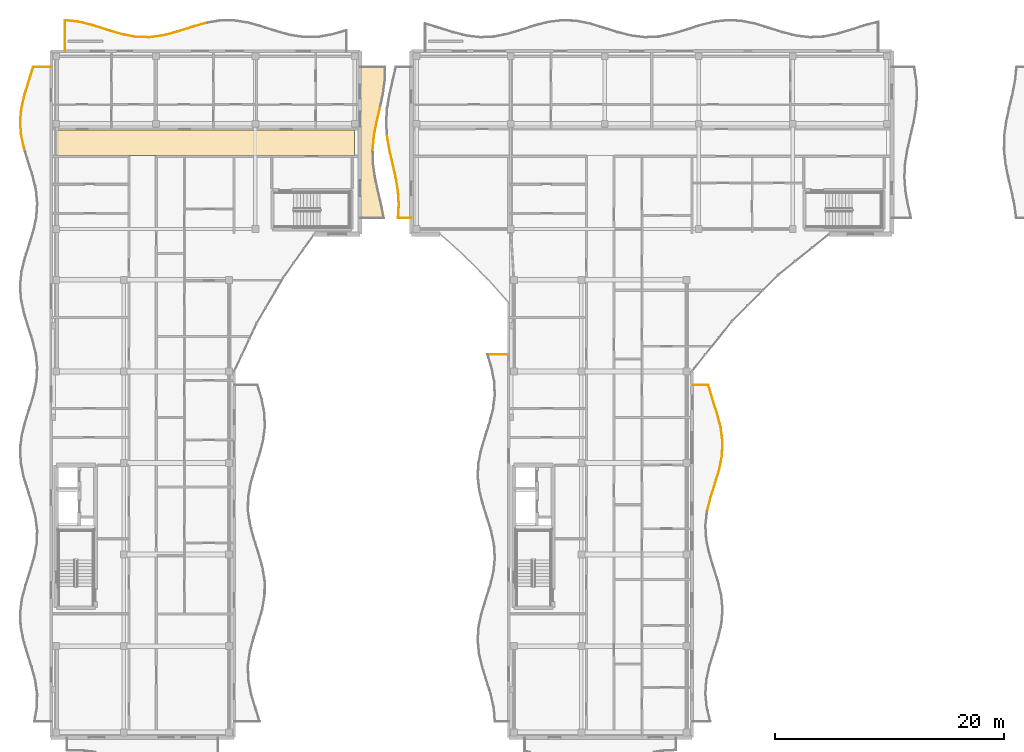
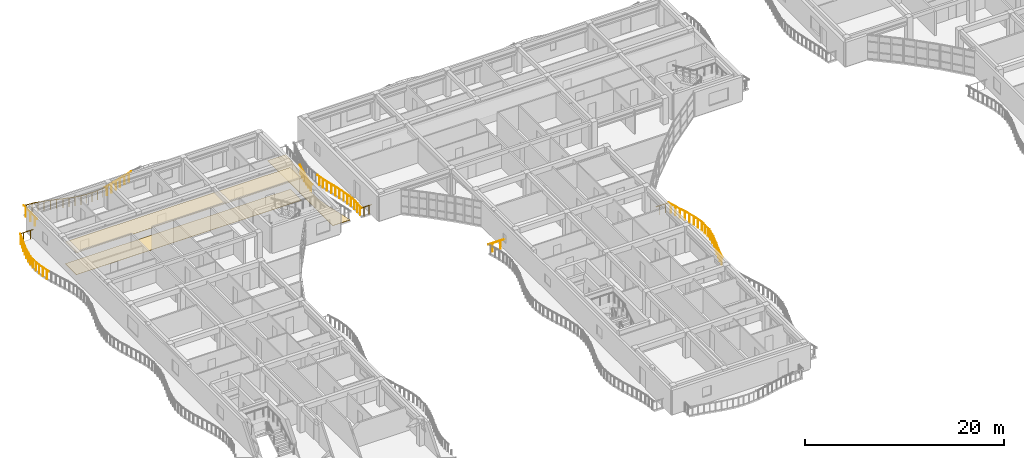
# One storey, part 65 of 79: 39 railings, 3 coverings.
"""IFC4 building model written with IfcOpenShell, lengths in metres."""

from ifc_helpers import new_model, si_unit, direction, frame, origin, origin_2d, place, context, subcontext, project, spatial, polyline, circle, outline, extrude, material, layer, layer_set, type_object, element, save


model = new_model("IFC4")

# Units and contexts
model_context = context("Model", 3, precision=1e-05, world=origin(), true_north=direction((0.0, 1.0)))
body_context = subcontext(model_context, "Body", "Model", "MODEL_VIEW")
ifc_project = project(units=[si_unit("LENGTHUNIT", "METRE"), si_unit("AREAUNIT", "SQUARE_METRE"), si_unit("VOLUMEUNIT", "CUBIC_METRE"), si_unit("PLANEANGLEUNIT", "RADIAN"), si_unit("MASSUNIT", "GRAM", prefix="KILO")], contexts=[model_context])

# Site, building, storey
site_placement = place(None, origin())
site = spatial("IfcSite", under=ifc_project, at=site_placement, CompositionType="ELEMENT")
building_placement = place(site_placement, origin())
building = spatial("IfcBuilding", under=site, at=building_placement, Name="Keldmere Railside Commons", CompositionType="ELEMENT")
storey_placement = place(building_placement, frame((0.0, 0.0, 10.56005859375)))
storey = spatial("IfcBuildingStorey", under=building, at=storey_placement, Name="L03", CompositionType="ELEMENT", Elevation=10.56005859375)

# Railings
ifc_material_1 = material(Name="Steel F-24 (S235)", Category="steel")
railing_type = type_object("IfcRailingType", Name="Balcony & Terrace Steel Balustrade 1100", PredefinedType="BALUSTRADE", material=ifc_material_1)
railing_1_placement = place(storey_placement, frame((9.199951171875, 116.0, 0.0)))
element("IfcRailing", 1, at=railing_1_placement, inside=storey, type_object=railing_type, Name="GR-1 GRD-L03-0255", PredefinedType="BALUSTRADE", context=body_context, shape_type="SweptSolid", body=[
    extrude(circle(Radius=0.02392578125, at=origin_2d()), frame((0.0, 0.0, 1.076171875), z_axis=(0.0, 1.0, 0.0), x_axis=(-1.0, 0.0, 0.0)), (0.0, 0.0, 1.0), 2.697509765625),
    extrude(circle(Radius=0.02099609375, at=origin_2d()), frame((0.0, 0.44970703125, 0.0)), (0.0, 0.0, 1.0), 1.048095703125),
    extrude(circle(Radius=0.02099609375, at=origin_2d()), frame((0.0, 1.3486328125, 0.0)), (0.0, 0.0, 1.0), 1.048095703125),
    extrude(circle(Radius=0.02099609375, at=origin_2d()), frame((0.0, 2.248046875, 0.0)), (0.0, 0.0, 1.0), 1.048095703125),
])
railing_2_placement = place(storey_placement, frame((9.199951171875, 118.697509765625, 0.0)))
element("IfcRailing", 2, at=railing_2_placement, inside=storey, type_object=railing_type, Name="GR-1 GRD-L03-0256", PredefinedType="BALUSTRADE", context=body_context, shape_type="SweptSolid", body=[
    extrude(circle(Radius=0.02392578125, at=origin_2d()), frame((0.0, 0.0, 1.076171875), z_axis=(0.994008215194, -0.109305389285, 0.0), x_axis=(0.109305389285, 0.994008215194, 0.0)), (0.0, 0.0, 1.0), 1.2373046875),
    extrude(circle(Radius=0.02099609375, at=origin_2d()), frame((0.3076171875, -0.03369140625, 0.0)), (0.0, 0.0, 1.0), 1.048095703125),
    extrude(circle(Radius=0.02099609375, at=origin_2d()), frame((0.92236328125, -0.1015625, 0.0)), (0.0, 0.0, 1.0), 1.048095703125),
])
railing_3_placement = place(storey_placement, frame((10.429931640625, 118.562255859375, 0.0)))
element("IfcRailing", 3, at=railing_3_placement, inside=storey, type_object=railing_type, Name="GR-1 GRD-L03-0257", PredefinedType="BALUSTRADE", context=body_context, shape_type="SweptSolid", body=[
    extrude(circle(Radius=0.02392578125, at=origin_2d()), frame((0.0, 0.0, 1.076171875), z_axis=(0.970119841736, -0.242626240688, 0.0), x_axis=(0.242626240688, 0.970119841736, 0.0)), (0.0, 0.0, 1.0), 1.267822265625),
    extrude(circle(Radius=0.02099609375, at=origin_2d()), frame((0.3076171875, -0.076904296875, 0.0)), (0.0, 0.0, 1.0), 1.048095703125),
    extrude(circle(Radius=0.02099609375, at=origin_2d()), frame((0.92236328125, -0.230712890625, 0.0)), (0.0, 0.0, 1.0), 1.048095703125),
])
railing_4_placement = place(storey_placement, frame((11.659912109375, 118.254638671875, 0.0)))
element("IfcRailing", 4, at=railing_4_placement, inside=storey, type_object=railing_type, Name="GR-1 GRD-L03-0258", PredefinedType="BALUSTRADE", context=body_context, shape_type="SweptSolid", body=[
    extrude(circle(Radius=0.02392578125, at=origin_2d()), frame((0.0, 0.0, 1.076171875), z_axis=(0.952487786918, -0.304576781406, 0.0), x_axis=(0.304576781406, 0.952487786918, 0.0)), (0.0, 0.0, 1.0), 1.291259765625),
    extrude(circle(Radius=0.02099609375, at=origin_2d()), frame((0.3076171875, -0.098388671875, 0.0)), (0.0, 0.0, 1.0), 1.048095703125),
    extrude(circle(Radius=0.02099609375, at=origin_2d()), frame((0.92236328125, -0.294921875, 0.0)), (0.0, 0.0, 1.0), 1.048095703125),
])
railing_5_placement = place(storey_placement, frame((12.889892578125, 117.861328125, 0.0)))
element("IfcRailing", 5, at=railing_5_placement, inside=storey, type_object=railing_type, Name="GR-1 GRD-L03-0259", PredefinedType="BALUSTRADE", context=body_context, shape_type="SweptSolid", body=[
    extrude(circle(Radius=0.02392578125, at=origin_2d()), frame((0.0, 0.0, 1.076171875), z_axis=(0.957967444327, -0.286876934608, 0.0), x_axis=(0.286876934608, 0.957967444327, 0.0)), (0.0, 0.0, 1.0), 1.2841796875),
    extrude(circle(Radius=0.02099609375, at=origin_2d()), frame((0.3076171875, -0.092041015625, 0.0)), (0.0, 0.0, 1.0), 1.048095703125),
    extrude(circle(Radius=0.02099609375, at=origin_2d()), frame((0.922607421875, -0.2763671875, 0.0)), (0.0, 0.0, 1.0), 1.048095703125),
])
railing_6_placement = place(storey_placement, frame((14.1201171875, 117.492919921875, 0.0)))
element("IfcRailing", 6, at=railing_6_placement, inside=storey, type_object=railing_type, Name="GR-1 GRD-L03-0260", PredefinedType="BALUSTRADE", context=body_context, shape_type="SweptSolid", body=[
    extrude(circle(Radius=0.02392578125, at=origin_2d()), frame((0.0, 0.0, 1.076171875), z_axis=(0.981528086767, -0.191318098691, 0.0), x_axis=(0.191318098691, 0.981528086767, 0.0)), (0.0, 0.0, 1.0), 1.253173828125),
    extrude(circle(Radius=0.02099609375, at=origin_2d()), frame((0.3076171875, -0.06005859375, 0.0)), (0.0, 0.0, 1.0), 1.048095703125),
    extrude(circle(Radius=0.02099609375, at=origin_2d()), frame((0.92236328125, -0.1796875, 0.0)), (0.0, 0.0, 1.0), 1.048095703125),
])
railing_7_placement = place(storey_placement, frame((15.35009765625, 117.253173828125, 0.0)))
element("IfcRailing", 7, at=railing_7_placement, inside=storey, type_object=railing_type, Name="GR-1 GRD-L03-0261", PredefinedType="BALUSTRADE", context=body_context, shape_type="SweptSolid", body=[
    extrude(circle(Radius=0.02392578125, at=origin_2d()), frame((0.0, 0.0, 1.076171875), z_axis=(0.999362348859, -0.03570568138, 0.0), x_axis=(0.03570568138, 0.999362348859, 0.0)), (0.0, 0.0, 1.0), 1.230712890625),
    extrude(circle(Radius=0.02099609375, at=origin_2d()), frame((0.3076171875, -0.010986328125, 0.0)), (0.0, 0.0, 1.0), 1.048095703125),
    extrude(circle(Radius=0.02099609375, at=origin_2d()), frame((0.92236328125, -0.032958984375, 0.0)), (0.0, 0.0, 1.0), 1.048095703125),
])
railing_8_placement = place(storey_placement, frame((16.580078125, 117.209228515625, 0.0)))
element("IfcRailing", 8, at=railing_8_placement, inside=storey, type_object=railing_type, Name="GR-1 GRD-L03-0262", PredefinedType="BALUSTRADE", context=body_context, shape_type="SweptSolid", body=[
    extrude(circle(Radius=0.02392578125, at=origin_2d()), frame((0.0, 0.0, 1.076171875), z_axis=(0.99116938363, 0.132601858787, 0.0), x_axis=(-0.132601858787, 0.99116938363, 0.0)), (0.0, 0.0, 1.0), 1.240966796875),
    extrude(circle(Radius=0.02099609375, at=origin_2d()), frame((0.3076171875, 0.041015625, 0.0)), (0.0, 0.0, 1.0), 1.048095703125),
    extrude(circle(Radius=0.02099609375, at=origin_2d()), frame((0.92236328125, 0.12353515625, 0.0)), (0.0, 0.0, 1.0), 1.048095703125),
])
railing_9_placement = place(storey_placement, frame((17.81005859375, 117.373779296875, 0.0)))
element("IfcRailing", 9, at=railing_9_placement, inside=storey, type_object=railing_type, Name="GR-1 GRD-L03-0263", PredefinedType="BALUSTRADE", context=body_context, shape_type="SweptSolid", body=[
    extrude(circle(Radius=0.02392578125, at=origin_2d()), frame((0.0, 0.0, 1.076171875), z_axis=(0.966543116807, 0.256504197533, 0.0), x_axis=(-0.256504197533, 0.966543116807, 0.0)), (0.0, 0.0, 1.0), 1.2724609375),
    extrude(circle(Radius=0.02099609375, at=origin_2d()), frame((0.3076171875, 0.08154296875, 0.0)), (0.0, 0.0, 1.0), 1.048095703125),
    extrude(circle(Radius=0.02099609375, at=origin_2d()), frame((0.92236328125, 0.244873046875, 0.0)), (0.0, 0.0, 1.0), 1.048095703125),
])
railing_10_placement = place(storey_placement, frame((19.0400390625, 117.7001953125, 0.0)))
element("IfcRailing", 10, at=railing_10_placement, inside=storey, type_object=railing_type, Name="GR-1 GRD-L03-0264", PredefinedType="BALUSTRADE", context=body_context, shape_type="SweptSolid", body=[
    extrude(circle(Radius=0.02392578125, at=origin_2d()), frame((0.0, 0.0, 1.076171875), z_axis=(0.951772697631, 0.306804061324, 0.0), x_axis=(-0.306804061324, 0.951772697631, 0.0)), (0.0, 0.0, 1.0), 1.292236328125),
    extrude(circle(Radius=0.02099609375, at=origin_2d()), frame((0.3076171875, 0.09912109375, 0.0)), (0.0, 0.0, 1.0), 1.048095703125),
    extrude(circle(Radius=0.02099609375, at=origin_2d()), frame((0.92236328125, 0.29736328125, 0.0)), (0.0, 0.0, 1.0), 1.048095703125),
])
railing_11_placement = place(storey_placement, frame((20.27001953125, 118.0966796875, 0.0)))
element("IfcRailing", 11, at=railing_11_placement, inside=storey, type_object=railing_type, Name="GR-1 GRD-L03-0265", PredefinedType="BALUSTRADE", context=body_context, shape_type="SweptSolid", body=[
    extrude(circle(Radius=0.02392578125, at=origin_2d()), frame((0.0, 0.0, 1.076171875), z_axis=(0.960684800771, 0.277641339802, 0.0), x_axis=(-0.277641339802, 0.960684800771, 0.0)), (0.0, 0.0, 1.0), 1.2802734375),
    extrude(circle(Radius=0.02099609375, at=origin_2d()), frame((0.3076171875, 0.0888671875, 0.0)), (0.0, 0.0, 1.0), 1.048095703125),
    extrude(circle(Radius=0.02099609375, at=origin_2d()), frame((0.92236328125, 0.2666015625, 0.0)), (0.0, 0.0, 1.0), 1.048095703125),
])
railing_12_placement = place(storey_placement, frame((5.654296875, 107.449951171875, 0.0)))
element("IfcRailing", 12, at=railing_12_placement, inside=storey, type_object=railing_type, Name="GR-1 GRD-L03-0346", PredefinedType="BALUSTRADE", context=body_context, shape_type="SweptSolid", body=[
    extrude(circle(Radius=0.02392578125, at=origin_2d()), frame((0.0, 0.0, 1.076171875), z_axis=(-0.216422141118, 0.976299880587, 0.0), x_axis=(-0.976299880587, -0.216422141118, 0.0)), (0.0, 0.0, 1.0), 1.220458984375),
    extrude(circle(Radius=0.02099609375, at=origin_2d()), frame((-0.06591796875, 0.2978515625, 0.0)), (0.0, 0.0, 1.0), 1.048095703125),
    extrude(circle(Radius=0.02099609375, at=origin_2d()), frame((-0.1982421875, 0.893798828125, 0.0)), (0.0, 0.0, 1.0), 1.048095703125),
])
railing_13_placement = place(storey_placement, frame((5.39013671875, 108.6416015625, 0.0)))
element("IfcRailing", 13, at=railing_13_placement, inside=storey, type_object=railing_type, Name="GR-1 GRD-L03-0347", PredefinedType="BALUSTRADE", context=body_context, shape_type="SweptSolid", body=[
    extrude(circle(Radius=0.02392578125, at=origin_2d()), frame((0.0, 0.0, 1.076171875), z_axis=(-0.075181012963, 0.99716990292, 0.0), x_axis=(-0.99716990292, -0.075181012963, 0.0)), (0.0, 0.0, 1.0), 1.195068359375),
    extrude(circle(Radius=0.02099609375, at=origin_2d()), frame((-0.0224609375, 0.2978515625, 0.0)), (0.0, 0.0, 1.0), 1.048095703125),
    extrude(circle(Radius=0.02099609375, at=origin_2d()), frame((-0.0673828125, 0.893798828125, 0.0)), (0.0, 0.0, 1.0), 1.048095703125),
])
railing_14_placement = place(storey_placement, frame((5.30029296875, 109.833251953125, 0.0)))
element("IfcRailing", 14, at=railing_14_placement, inside=storey, type_object=railing_type, Name="GR-1 GRD-L03-0348", PredefinedType="BALUSTRADE", context=body_context, shape_type="SweptSolid", body=[
    extrude(circle(Radius=0.02392578125, at=origin_2d()), frame((0.0, 0.0, 1.076171875), z_axis=(0.09059093533, 0.995888187718, 0.0), x_axis=(-0.995888187718, 0.09059093533, 0.0)), (0.0, 0.0, 1.0), 1.196533203125),
    extrude(circle(Radius=0.02099609375, at=origin_2d()), frame((0.027099609375, 0.2978515625, 0.0)), (0.0, 0.0, 1.0), 1.048095703125),
    extrude(circle(Radius=0.02099609375, at=origin_2d()), frame((0.081298828125, 0.893798828125, 0.0)), (0.0, 0.0, 1.0), 1.048095703125),
])
railing_15_placement = place(storey_placement, frame((5.40869140625, 111.02490234375, 0.0)))
element("IfcRailing", 15, at=railing_15_placement, inside=storey, type_object=railing_type, Name="GR-1 GRD-L03-0349", PredefinedType="BALUSTRADE", context=body_context, shape_type="SweptSolid", body=[
    extrude(circle(Radius=0.02392578125, at=origin_2d()), frame((0.0, 0.0, 1.076171875), z_axis=(0.227015199311, 0.973891215322, 0.0), x_axis=(-0.973891215322, 0.227015199311, 0.0)), (0.0, 0.0, 1.0), 1.223876953125),
    extrude(circle(Radius=0.02099609375, at=origin_2d()), frame((0.0693359375, 0.2978515625, 0.0)), (0.0, 0.0, 1.0), 1.048095703125),
    extrude(circle(Radius=0.02099609375, at=origin_2d()), frame((0.20849609375, 0.89404296875, 0.0)), (0.0, 0.0, 1.0), 1.048095703125),
])
railing_16_placement = place(storey_placement, frame((5.6865234375, 112.216796875, 0.0)))
element("IfcRailing", 16, at=railing_16_placement, inside=storey, type_object=railing_type, Name="GR-1 GRD-L03-0350", PredefinedType="BALUSTRADE", context=body_context, shape_type="SweptSolid", body=[
    extrude(circle(Radius=0.02392578125, at=origin_2d()), frame((0.0, 0.0, 1.076171875), z_axis=(0.29934356477, 0.954145392606, 0.0), x_axis=(-0.954145392606, 0.29934356477, 0.0)), (0.0, 0.0, 1.0), 1.248779296875),
    extrude(circle(Radius=0.02099609375, at=origin_2d()), frame((0.093505859375, 0.2978515625, 0.0)), (0.0, 0.0, 1.0), 1.048095703125),
    extrude(circle(Radius=0.02099609375, at=origin_2d()), frame((0.2802734375, 0.8935546875, 0.0)), (0.0, 0.0, 1.0), 1.048095703125),
])
railing_17_placement = place(storey_placement, frame((6.060302734375, 113.408203125, 0.0)))
element("IfcRailing", 17, at=railing_17_placement, inside=storey, type_object=railing_type, Name="GR-1 GRD-L03-0351", PredefinedType="BALUSTRADE", context=body_context, shape_type="SweptSolid", body=[
    extrude(circle(Radius=0.02392578125, at=origin_2d()), frame((0.0, 0.0, 1.076171875), z_axis=(0.297450874004, 0.954737124843, 0.0), x_axis=(-0.954737124843, 0.297450874004, 0.0)), (0.0, 0.0, 1.0), 1.248291015625),
    extrude(circle(Radius=0.02099609375, at=origin_2d()), frame((0.0927734375, 0.2978515625, 0.0)), (0.0, 0.0, 1.0), 1.048095703125),
    extrude(circle(Radius=0.02099609375, at=origin_2d()), frame((0.278564453125, 0.89404296875, 0.0)), (0.0, 0.0, 1.0), 1.048095703125),
])
railing_18_placement = place(storey_placement, frame((6.431640625, 114.60009765625, 0.0)))
element("IfcRailing", 18, at=railing_18_placement, inside=storey, type_object=railing_type, Name="GR-1 GRD-L03-0352", PredefinedType="BALUSTRADE", context=body_context, shape_type="SweptSolid", body=[
    extrude(circle(Radius=0.02392578125, at=origin_2d()), frame((0.0, 0.0, 1.076171875), z_axis=(1.0, 0.0, 0.0), x_axis=(0.0, 1.0, 0.0)), (0.0, 0.0, 1.0), 1.568359375),
    extrude(circle(Radius=0.02099609375, at=origin_2d()), frame((0.39208984375, 0.0, 0.0)), (0.0, 0.0, 1.0), 1.048095703125),
    extrude(circle(Radius=0.02099609375, at=origin_2d()), frame((1.17626953125, 0.0, 0.0)), (0.0, 0.0, 1.0), 1.048095703125),
])
railing_19_placement = place(storey_placement, frame((36.106689453125, 107.39990234375, 0.0)))
element("IfcRailing", 19, at=railing_19_placement, inside=storey, type_object=railing_type, Name="GR-1 GRD-L03-0359", PredefinedType="BALUSTRADE", context=body_context, shape_type="SweptSolid", body=[
    extrude(circle(Radius=0.02392578125, at=origin_2d()), frame((0.0, 0.0, 1.076171875), z_axis=(0.09577413797, 0.995403091464, 0.0), x_axis=(-0.995403091464, 0.09577413797, 0.0)), (0.0, 0.0, 1.0), 1.205810546875),
    extrude(circle(Radius=0.02099609375, at=origin_2d()), frame((0.02880859375, 0.300048828125, 0.0)), (0.0, 0.0, 1.0), 1.048095703125),
    extrude(circle(Radius=0.02099609375, at=origin_2d()), frame((0.086669921875, 0.900146484375, 0.0)), (0.0, 0.0, 1.0), 1.048095703125),
])
railing_20_placement = place(storey_placement, frame((36.22216796875, 108.60009765625, 0.0)))
element("IfcRailing", 20, at=railing_20_placement, inside=storey, type_object=railing_type, Name="GR-1 GRD-L03-0360", PredefinedType="BALUSTRADE", context=body_context, shape_type="SweptSolid", body=[
    extrude(circle(Radius=0.02392578125, at=origin_2d()), frame((0.0, 0.0, 1.076171875), z_axis=(0.188232213058, 0.982124551148, 0.0), x_axis=(-0.982124551148, 0.188232213058, 0.0)), (0.0, 0.0, 1.0), 1.2216796875),
    extrude(circle(Radius=0.02099609375, at=origin_2d()), frame((0.0576171875, 0.300048828125, 0.0)), (0.0, 0.0, 1.0), 1.048095703125),
    extrude(circle(Radius=0.02099609375, at=origin_2d()), frame((0.17236328125, 0.89990234375, 0.0)), (0.0, 0.0, 1.0), 1.048095703125),
])
railing_21_placement = place(storey_placement, frame((36.4521484375, 109.800048828125, 0.0)))
element("IfcRailing", 21, at=railing_21_placement, inside=storey, type_object=railing_type, Name="GR-1 GRD-L03-0361", PredefinedType="BALUSTRADE", context=body_context, shape_type="SweptSolid", body=[
    extrude(circle(Radius=0.02392578125, at=origin_2d()), frame((0.0, 0.0, 1.076171875), z_axis=(0.229513923335, 0.973305378078, 0.0), x_axis=(-0.973305378078, 0.229513923335, 0.0)), (0.0, 0.0, 1.0), 1.23291015625),
    extrude(circle(Radius=0.02099609375, at=origin_2d()), frame((0.07080078125, 0.300048828125, 0.0)), (0.0, 0.0, 1.0), 1.048095703125),
    extrude(circle(Radius=0.02099609375, at=origin_2d()), frame((0.212158203125, 0.89990234375, 0.0)), (0.0, 0.0, 1.0), 1.048095703125),
])
railing_22_placement = place(storey_placement, frame((65.340576171875, 75.77490234375, 0.0)))
element("IfcRailing", 22, at=railing_22_placement, inside=storey, type_object=railing_type, Name="GR-1 GRD-L03-1099", PredefinedType="BALUSTRADE", context=body_context, shape_type="SweptSolid", body=[
    extrude(circle(Radius=0.02392578125, at=origin_2d()), frame((0.0, 0.0, 1.076171875), z_axis=(0.243536017509, 0.969891853856, 0.0), x_axis=(-0.969891853856, 0.243536017509, 0.0)), (0.0, 0.0, 1.0), 1.26318359375),
    extrude(circle(Radius=0.02099609375, at=origin_2d()), frame((0.076904296875, 0.30615234375, 0.0)), (0.0, 0.0, 1.0), 1.048095703125),
    extrude(circle(Radius=0.02099609375, at=origin_2d()), frame((0.230712890625, 0.9189453125, 0.0)), (0.0, 0.0, 1.0), 1.048095703125),
])
railing_23_placement = place(storey_placement, frame((65.648193359375, 77.0, 0.0)))
element("IfcRailing", 23, at=railing_23_placement, inside=storey, type_object=railing_type, Name="GR-1 GRD-L03-1100", PredefinedType="BALUSTRADE", context=body_context, shape_type="SweptSolid", body=[
    extrude(circle(Radius=0.02392578125, at=origin_2d()), frame((0.0, 0.0, 1.076171875), z_axis=(0.304644868355, 0.952466012089, 0.0), x_axis=(-0.952466012089, 0.304644868355, 0.0)), (0.0, 0.0, 1.0), 1.2861328125),
    extrude(circle(Radius=0.02099609375, at=origin_2d()), frame((0.097900390625, 0.30615234375, 0.0)), (0.0, 0.0, 1.0), 1.048095703125),
    extrude(circle(Radius=0.02099609375, at=origin_2d()), frame((0.2939453125, 0.9189453125, 0.0)), (0.0, 0.0, 1.0), 1.048095703125),
])
railing_24_placement = place(storey_placement, frame((66.0400390625, 78.22509765625, 0.0)))
element("IfcRailing", 24, at=railing_24_placement, inside=storey, type_object=railing_type, Name="GR-1 GRD-L03-1101", PredefinedType="BALUSTRADE", context=body_context, shape_type="SweptSolid", body=[
    extrude(circle(Radius=0.02392578125, at=origin_2d()), frame((0.0, 0.0, 1.076171875), z_axis=(0.286804774598, 0.957989050704, 0.0), x_axis=(-0.957989050704, 0.286804774598, 0.0)), (0.0, 0.0, 1.0), 1.278564453125),
    extrude(circle(Radius=0.02099609375, at=origin_2d()), frame((0.091796875, 0.30615234375, 0.0)), (0.0, 0.0, 1.0), 1.048095703125),
    extrude(circle(Radius=0.02099609375, at=origin_2d()), frame((0.27490234375, 0.918701171875, 0.0)), (0.0, 0.0, 1.0), 1.048095703125),
])
railing_25_placement = place(storey_placement, frame((66.40673828125, 79.449951171875, 0.0)))
element("IfcRailing", 25, at=railing_25_placement, inside=storey, type_object=railing_type, Name="GR-1 GRD-L03-1102", PredefinedType="BALUSTRADE", context=body_context, shape_type="SweptSolid", body=[
    extrude(circle(Radius=0.02392578125, at=origin_2d()), frame((0.0, 0.0, 1.076171875), z_axis=(0.191675793499, 0.981458297732, 0.0), x_axis=(-0.981458297732, 0.191675793499, 0.0)), (0.0, 0.0, 1.0), 1.248291015625),
    extrude(circle(Radius=0.02099609375, at=origin_2d()), frame((0.059814453125, 0.30615234375, 0.0)), (0.0, 0.0, 1.0), 1.048095703125),
    extrude(circle(Radius=0.02099609375, at=origin_2d()), frame((0.179443359375, 0.9189453125, 0.0)), (0.0, 0.0, 1.0), 1.048095703125),
])
railing_26_placement = place(storey_placement, frame((66.64599609375, 80.675048828125, 0.0)))
element("IfcRailing", 26, at=railing_26_placement, inside=storey, type_object=railing_type, Name="GR-1 GRD-L03-1103", PredefinedType="BALUSTRADE", context=body_context, shape_type="SweptSolid", body=[
    extrude(circle(Radius=0.02392578125, at=origin_2d()), frame((0.0, 0.0, 1.076171875), z_axis=(0.036849581892, 0.999320823517, 0.0), x_axis=(-0.999320823517, 0.036849581892, 0.0)), (0.0, 0.0, 1.0), 1.2255859375),
    extrude(circle(Radius=0.02099609375, at=origin_2d()), frame((0.01123046875, 0.30615234375, 0.0)), (0.0, 0.0, 1.0), 1.048095703125),
    extrude(circle(Radius=0.02099609375, at=origin_2d()), frame((0.033935546875, 0.918701171875, 0.0)), (0.0, 0.0, 1.0), 1.048095703125),
])
railing_27_placement = place(storey_placement, frame((66.691162109375, 81.89990234375, 0.0)))
element("IfcRailing", 27, at=railing_27_placement, inside=storey, type_object=railing_type, Name="GR-1 GRD-L03-1104", PredefinedType="BALUSTRADE", context=body_context, shape_type="SweptSolid", body=[
    extrude(circle(Radius=0.02392578125, at=origin_2d()), frame((0.0, 0.0, 1.076171875), z_axis=(-0.130791814318, 0.991409855361, 0.0), x_axis=(-0.991409855361, -0.130791814318, 0.0)), (0.0, 0.0, 1.0), 1.235595703125),
    extrude(circle(Radius=0.02099609375, at=origin_2d()), frame((-0.04052734375, 0.30615234375, 0.0)), (0.0, 0.0, 1.0), 1.048095703125),
    extrude(circle(Radius=0.02099609375, at=origin_2d()), frame((-0.12109375, 0.9189453125, 0.0)), (0.0, 0.0, 1.0), 1.048095703125),
])
railing_28_placement = place(storey_placement, frame((66.529541015625, 83.125, 0.0)))
element("IfcRailing", 28, at=railing_28_placement, inside=storey, type_object=railing_type, Name="GR-1 GRD-L03-1105", PredefinedType="BALUSTRADE", context=body_context, shape_type="SweptSolid", body=[
    extrude(circle(Radius=0.02392578125, at=origin_2d()), frame((0.0, 0.0, 1.076171875), z_axis=(-0.255119233156, 0.96690960119, 0.0), x_axis=(-0.96690960119, -0.255119233156, 0.0)), (0.0, 0.0, 1.0), 1.26708984375),
    extrude(circle(Radius=0.02099609375, at=origin_2d()), frame((-0.080810546875, 0.30615234375, 0.0)), (0.0, 0.0, 1.0), 1.048095703125),
    extrude(circle(Radius=0.02099609375, at=origin_2d()), frame((-0.242431640625, 0.9189453125, 0.0)), (0.0, 0.0, 1.0), 1.048095703125),
])
railing_29_placement = place(storey_placement, frame((66.206298828125, 84.35009765625, 0.0)))
element("IfcRailing", 29, at=railing_29_placement, inside=storey, type_object=railing_type, Name="GR-1 GRD-L03-1106", PredefinedType="BALUSTRADE", context=body_context, shape_type="SweptSolid", body=[
    extrude(circle(Radius=0.02392578125, at=origin_2d()), frame((0.0, 0.0, 1.076171875), z_axis=(-0.306764423269, 0.951785474052, 0.0), x_axis=(-0.951785474052, -0.306764423269, 0.0)), (0.0, 0.0, 1.0), 1.286865234375),
    extrude(circle(Radius=0.02099609375, at=origin_2d()), frame((-0.0986328125, 0.30615234375, 0.0)), (0.0, 0.0, 1.0), 1.048095703125),
    extrude(circle(Radius=0.02099609375, at=origin_2d()), frame((-0.296142578125, 0.918701171875, 0.0)), (0.0, 0.0, 1.0), 1.048095703125),
])
railing_30_placement = place(storey_placement, frame((65.8115234375, 85.574951171875, 0.0)))
element("IfcRailing", 30, at=railing_30_placement, inside=storey, type_object=railing_type, Name="GR-1 GRD-L03-1107", PredefinedType="BALUSTRADE", context=body_context, shape_type="SweptSolid", body=[
    extrude(circle(Radius=0.02392578125, at=origin_2d()), frame((0.0, 0.0, 1.076171875), z_axis=(-0.279191603743, 0.96023541301, 0.0), x_axis=(-0.96023541301, -0.279191603743, 0.0)), (0.0, 0.0, 1.0), 1.27587890625),
    extrude(circle(Radius=0.02099609375, at=origin_2d()), frame((-0.089111328125, 0.30615234375, 0.0)), (0.0, 0.0, 1.0), 1.048095703125),
    extrude(circle(Radius=0.02099609375, at=origin_2d()), frame((-0.26708984375, 0.9189453125, 0.0)), (0.0, 0.0, 1.0), 1.048095703125),
])
railing_31_placement = place(storey_placement, frame((65.455322265625, 86.800048828125, 0.0)))
element("IfcRailing", 31, at=railing_31_placement, inside=storey, type_object=railing_type, Name="GR-1 GRD-L03-1108", PredefinedType="BALUSTRADE", context=body_context, shape_type="SweptSolid", body=[
    extrude(circle(Radius=0.02392578125, at=origin_2d()), frame((0.0, 0.0, 1.076171875), z_axis=(-1.0, 0.0, 0.0), x_axis=(0.0, -1.0, 0.0)), (0.0, 0.0, 1.0), 1.455322265625),
    extrude(circle(Radius=0.02099609375, at=origin_2d()), frame((-0.36376953125, 0.0, 0.0)), (0.0, 0.0, 1.0), 1.048095703125),
    extrude(circle(Radius=0.02099609375, at=origin_2d()), frame((-1.091552734375, 0.0, 0.0)), (0.0, 0.0, 1.0), 1.048095703125),
])
railing_32_placement = place(storey_placement, frame((46.156982421875, 89.5, 0.0)))
element("IfcRailing", 32, at=railing_32_placement, inside=storey, type_object=railing_type, Name="GR-1 GRD-L03-1137", PredefinedType="BALUSTRADE", context=body_context, shape_type="SweptSolid", body=[
    extrude(circle(Radius=0.02392578125, at=origin_2d()), frame((0.0, 0.0, 1.076171875), z_axis=(1.0, 0.0, 0.0), x_axis=(0.0, 1.0, 0.0)), (0.0, 0.0, 1.0), 1.843017578125),
    extrude(circle(Radius=0.02099609375, at=origin_2d()), frame((0.460693359375, 0.0, 0.0)), (0.0, 0.0, 1.0), 1.048095703125),
    extrude(circle(Radius=0.02099609375, at=origin_2d()), frame((1.38232421875, 0.0, 0.0)), (0.0, 0.0, 1.0), 1.048095703125),
])
railing_33_placement = place(storey_placement, frame((39.5, 101.39990234375, 0.0)))
element("IfcRailing", 33, at=railing_33_placement, inside=storey, type_object=railing_type, Name="GR-1 GRD-L03-1151", PredefinedType="BALUSTRADE", context=body_context, shape_type="SweptSolid", body=[
    extrude(circle(Radius=0.02392578125, at=origin_2d()), frame((0.0, 0.0, 1.076171875), z_axis=(-1.0, 0.0, 0.0), x_axis=(0.0, -1.0, 0.0)), (0.0, 0.0, 1.0), 1.170654296875),
    extrude(circle(Radius=0.02099609375, at=origin_2d()), frame((-0.292724609375, 0.0, 0.0)), (0.0, 0.0, 1.0), 1.048095703125),
    extrude(circle(Radius=0.02099609375, at=origin_2d()), frame((-0.8779296875, 0.0, 0.0)), (0.0, 0.0, 1.0), 1.048095703125),
])
railing_34_placement = place(storey_placement, frame((38.329345703125, 101.39990234375, 0.0)))
element("IfcRailing", 34, at=railing_34_placement, inside=storey, type_object=railing_type, Name="GR-1 GRD-L03-1152", PredefinedType="BALUSTRADE", context=body_context, shape_type="SweptSolid", body=[
    extrude(circle(Radius=0.02392578125, at=origin_2d()), frame((0.0, 0.0, 1.076171875), z_axis=(0.058686310163, 0.998276473227, 0.0), x_axis=(-0.998276473227, 0.058686310163, 0.0)), (0.0, 0.0, 1.0), 1.2021484375),
    extrude(circle(Radius=0.02099609375, at=origin_2d()), frame((0.017578125, 0.300048828125, 0.0)), (0.0, 0.0, 1.0), 1.048095703125),
    extrude(circle(Radius=0.02099609375, at=origin_2d()), frame((0.052978515625, 0.900146484375, 0.0)), (0.0, 0.0, 1.0), 1.048095703125),
])
railing_35_placement = place(storey_placement, frame((38.39990234375, 102.60009765625, 0.0)))
element("IfcRailing", 35, at=railing_35_placement, inside=storey, type_object=railing_type, Name="GR-1 GRD-L03-1153", PredefinedType="BALUSTRADE", context=body_context, shape_type="SweptSolid", body=[
    extrude(circle(Radius=0.02392578125, at=origin_2d()), frame((0.0, 0.0, 1.076171875), z_axis=(-0.063756087584, 0.997965511075, 0.0), x_axis=(-0.997965511075, -0.063756087584, 0.0)), (0.0, 0.0, 1.0), 1.202392578125),
    extrude(circle(Radius=0.02099609375, at=origin_2d()), frame((-0.01904296875, 0.300048828125, 0.0)), (0.0, 0.0, 1.0), 1.048095703125),
    extrude(circle(Radius=0.02099609375, at=origin_2d()), frame((-0.0576171875, 0.89990234375, 0.0)), (0.0, 0.0, 1.0), 1.048095703125),
])
railing_36_placement = place(storey_placement, frame((38.3232421875, 103.800048828125, 0.0)))
element("IfcRailing", 36, at=railing_36_placement, inside=storey, type_object=railing_type, Name="GR-1 GRD-L03-1154", PredefinedType="BALUSTRADE", context=body_context, shape_type="SweptSolid", body=[
    extrude(circle(Radius=0.02392578125, at=origin_2d()), frame((0.0, 0.0, 1.076171875), z_axis=(-0.167293302361, 0.985907171586, 0.0), x_axis=(-0.985907171586, -0.167293302361, 0.0)), (0.0, 0.0, 1.0), 1.217041015625),
    extrude(circle(Radius=0.02099609375, at=origin_2d()), frame((-0.05078125, 0.300048828125, 0.0)), (0.0, 0.0, 1.0), 1.048095703125),
    extrude(circle(Radius=0.02099609375, at=origin_2d()), frame((-0.15283203125, 0.89990234375, 0.0)), (0.0, 0.0, 1.0), 1.048095703125),
])
railing_37_placement = place(storey_placement, frame((38.11962890625, 105.0, 0.0)))
element("IfcRailing", 37, at=railing_37_placement, inside=storey, type_object=railing_type, Name="GR-1 GRD-L03-1155", PredefinedType="BALUSTRADE", context=body_context, shape_type="SweptSolid", body=[
    extrude(circle(Radius=0.02392578125, at=origin_2d()), frame((0.0, 0.0, 1.076171875), z_axis=(-0.224062946507, 0.974574674411, 0.0), x_axis=(-0.974574674411, -0.224062946507, 0.0)), (0.0, 0.0, 1.0), 1.231201171875),
    extrude(circle(Radius=0.02099609375, at=origin_2d()), frame((-0.06884765625, 0.300048828125, 0.0)), (0.0, 0.0, 1.0), 1.048095703125),
    extrude(circle(Radius=0.02099609375, at=origin_2d()), frame((-0.20703125, 0.89990234375, 0.0)), (0.0, 0.0, 1.0), 1.048095703125),
])
railing_38_placement = place(storey_placement, frame((37.84375, 106.199951171875, 0.0)))
element("IfcRailing", 38, at=railing_38_placement, inside=storey, type_object=railing_type, Name="GR-1 GRD-L03-1156", PredefinedType="BALUSTRADE", context=body_context, shape_type="SweptSolid", body=[
    extrude(circle(Radius=0.02392578125, at=origin_2d()), frame((0.0, 0.0, 1.076171875), z_axis=(-0.222744015375, 0.97487696845, 0.0), x_axis=(-0.97487696845, -0.222744015375, 0.0)), (0.0, 0.0, 1.0), 1.23095703125),
    extrude(circle(Radius=0.02099609375, at=origin_2d()), frame((-0.068603515625, 0.300048828125, 0.0)), (0.0, 0.0, 1.0), 1.048095703125),
    extrude(circle(Radius=0.02099609375, at=origin_2d()), frame((-0.20556640625, 0.89990234375, 0.0)), (0.0, 0.0, 1.0), 1.048095703125),
])
railing_39_placement = place(storey_placement, frame((37.569580078125, 107.39990234375, 0.0)))
element("IfcRailing", 39, at=railing_39_placement, inside=storey, type_object=railing_type, Name="GR-1 GRD-L03-1157", PredefinedType="BALUSTRADE", context=body_context, shape_type="SweptSolid", body=[
    extrude(circle(Radius=0.02392578125, at=origin_2d()), frame((0.0, 0.0, 1.076171875), z_axis=(-0.163552823675, 0.986534578141, 0.0), x_axis=(-0.986534578141, -0.163552823675, 0.0)), (0.0, 0.0, 1.0), 1.216552734375),
    extrude(circle(Radius=0.02099609375, at=origin_2d()), frame((-0.0498046875, 0.300048828125, 0.0)), (0.0, 0.0, 1.0), 1.048095703125),
    extrude(circle(Radius=0.02099609375, at=origin_2d()), frame((-0.149169921875, 0.900146484375, 0.0)), (0.0, 0.0, 1.0), 1.048095703125),
])

# Coverings
ifc_material_2 = material(Name="Polished Terrazzo Tile Flooring", Category="concrete")
ifc_layer_1 = layer(ifc_material_2, 0.030029296875, Name="Polished Terrazzo Floor Finish 30")
ifc_layer_set_1 = layer_set([ifc_layer_1], Name="Polished Terrazzo Tile Flooring")
covering_type_1 = type_object("IfcCoveringType", Name="Polished Terrazzo Floor Finish 30", PredefinedType="FLOORING", material=ifc_layer_set_1)
covering_1_placement = place(storey_placement, origin())
element("IfcCovering", 40, at=covering_1_placement, inside=storey, type_object=covering_type_1, Name="FLR-1 Corridor Terrazzo D-L03", PredefinedType="FLOORING", context=body_context, shape_type="SweptSolid", body=[
    extrude(outline(polyline([(8.47998046875, 106.8798828125), (34.52001953125, 106.8798828125), (34.52001953125, 109.1201171875), (8.47998046875, 109.1201171875), (8.47998046875, 106.8798828125)])), origin(), (0.0, 0.0, 1.0), 0.030029296875),
])
ifc_material_3 = material(Name="Acoustic Mineral-Fibre Gypsum Ceiling", Category="gypsum")
ifc_layer_2 = layer(ifc_material_3, 0.02490234375, Name="Suspended Acoustic Ceiling 25")
ifc_layer_set_2 = layer_set([ifc_layer_2], Name="Acoustic Mineral-Fibre Gypsum Ceiling")
covering_type_2 = type_object("IfcCoveringType", Name="Suspended Acoustic Ceiling 25", PredefinedType="CEILING", material=ifc_layer_set_2)
covering_2_placement = place(storey_placement, frame((0.0, 0.0, 2.675048828125)))
element("IfcCovering", 41, at=covering_2_placement, inside=storey, type_object=covering_type_2, Name="CLG-1 Corridor Ceiling D-L03", PredefinedType="CEILING", context=body_context, shape_type="SweptSolid", body=[
    extrude(outline(polyline([(8.47998046875, 106.8798828125), (34.52001953125, 106.8798828125), (34.52001953125, 109.1201171875), (8.47998046875, 109.1201171875), (8.47998046875, 106.8798828125)])), origin(), (0.0, 0.0, 1.0), 0.02490234375),
])
ifc_material_4 = material(Name="White Precast Concrete C35/45", Category="concrete")
ifc_layer_3 = layer(ifc_material_4, 0.044921875, Name="White Architectural Balcony Ribbon Cladding 45")
ifc_layer_set_3 = layer_set([ifc_layer_3], Name="White Precast Concrete C35/45")
covering_type_3 = type_object("IfcCoveringType", Name="White Architectural Balcony Ribbon Cladding 45", PredefinedType="FLOORING", material=ifc_layer_set_3)
covering_3_placement = place(storey_placement, origin())
element("IfcCovering", 42, at=covering_3_placement, inside=storey, type_object=covering_type_3, Name="CLG-WB D L03 WE White Balcony Ribbon", PredefinedType="FLOORING", context=body_context, shape_type="SweptSolid", body=[
    extrude(outline(polyline([(36.808837890625, 102.591552734375), (36.52587890625, 103.790771484375), (36.525634765625, 103.79150390625), (36.265380859375, 104.991455078125), (36.264892578125, 104.994384765625), (36.09716796875, 106.194580078125), (36.0966796875, 106.198974609375), (36.066650390625, 107.39892578125), (36.06689453125, 107.40380859375), (36.182373046875, 108.603759765625), (36.182861328125, 108.607421875), (36.412841796875, 109.8076171875), (36.4130859375, 109.80908203125), (36.6962890625, 111.0087890625), (36.9560546875, 112.20703125), (37.123291015625, 113.4033203125), (37.15234375, 114.56005859375), (35.0400390625, 114.56005859375), (35.0400390625, 101.43994140625), (37.029541015625, 101.43994140625), (36.808837890625, 102.591552734375)])), origin(), (0.0, 0.0, 1.0), 0.044921875),
])

save(model, "model.ifc")
